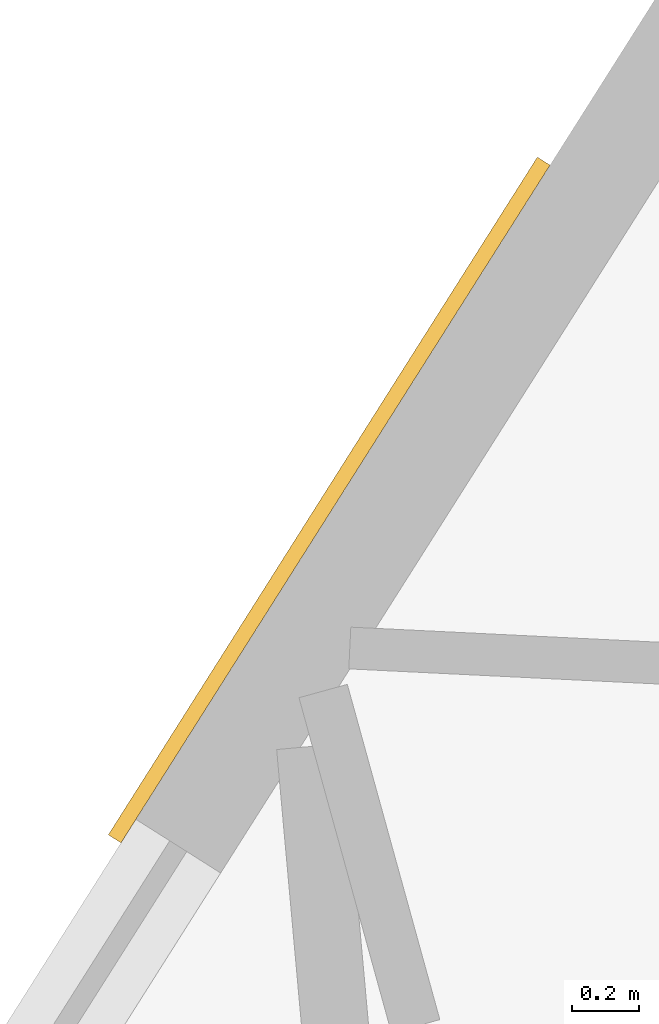
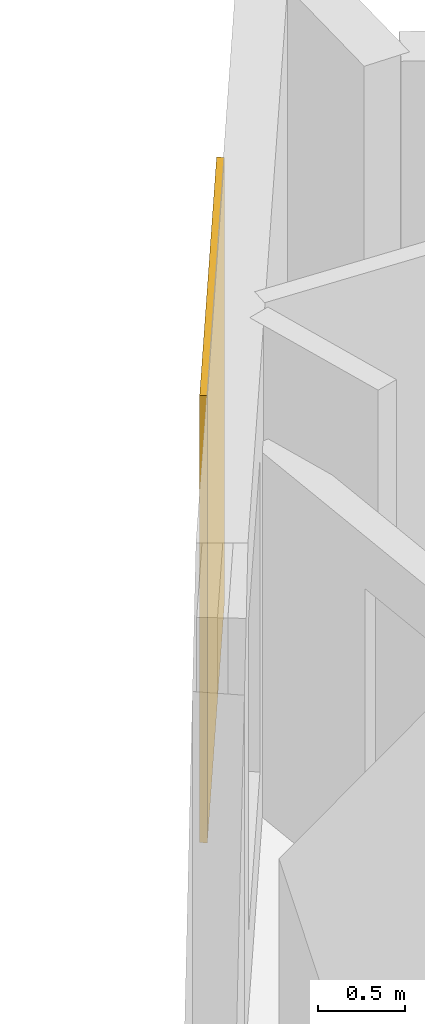
# One storey, part 12 of 12: 1 covering.
"""IFC4 building model written with IfcOpenShell, lengths in metres."""

from ifc_helpers import new_model, si_unit, direction, frame, origin, origin_2d, place, context, subcontext, project, spatial, rectangle, extrude, material, layer, layer_set, type_object, element, save


model = new_model("IFC4")

# Units and contexts
model_context = context("Model", 3, precision=1e-05, world=origin(), true_north=direction((0.0, 1.0)))
body_context = subcontext(model_context, "Body", "Model", "MODEL_VIEW")
ifc_project = project(units=[si_unit("LENGTHUNIT", "METRE"), si_unit("AREAUNIT", "SQUARE_METRE"), si_unit("VOLUMEUNIT", "CUBIC_METRE"), si_unit("PLANEANGLEUNIT", "RADIAN"), si_unit("MASSUNIT", "GRAM", prefix="KILO")], contexts=[model_context])

# Site, building, storey
site_placement = place(None, origin())
site = spatial("IfcSite", under=ifc_project, at=site_placement, CompositionType="ELEMENT")
building_placement = place(site_placement, origin())
building = spatial("IfcBuilding", under=site, at=building_placement, Name="Almagre Mirador Tower", CompositionType="ELEMENT")
storey_placement = place(building_placement, frame((0.0, 0.0, 117.60009765625)))
storey = spatial("IfcBuildingStorey", under=building, at=storey_placement, Name="L29", CompositionType="ELEMENT", Elevation=117.60009765625)

# Covering
ifc_material = material(Name="Almagre terracotta architectural cladding", Category="masonry")
ifc_layer = layer(ifc_material, 0.044921875)
ifc_layer_set = layer_set([ifc_layer], Name="Almagre terracotta architectural cladding")
covering_type = type_object("IfcCoveringType", Name="COV-CLAD-ALMAGRE", PredefinedType="CLADDING", material=ifc_layer_set)
covering_placement = place(storey_placement, frame((33.14111328125, 39.309814453125, 0.099853515625), z_axis=(0.0, 0.0, 1.0), x_axis=(0.534883337551, 0.844925922913, 0.0)))
element("IfcCovering", 1, at=covering_placement, inside=storey, type_object=covering_type, Name="L29 almagre terracotta pier cladding", PredefinedType="CLADDING", context=body_context, shape_type="SweptSolid", body=[
    extrude(rectangle(XDim=2.39990234375, YDim=0.044921875, at=origin_2d()), origin(), (0.0, 0.0, 1.0), 3.14990234375),
])

save(model, "model.ifc")
